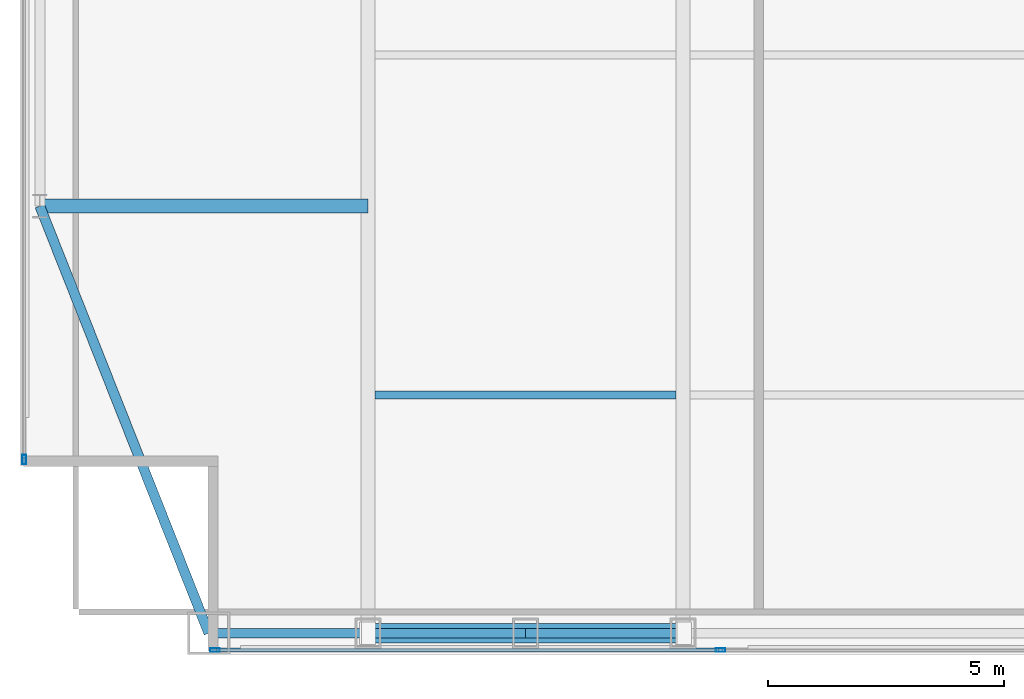
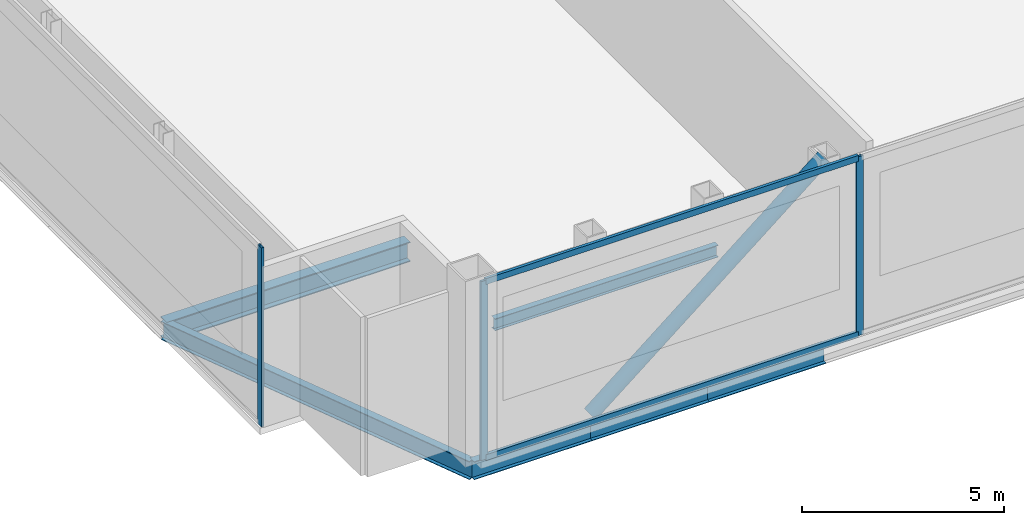
# One storey, part 4 of 22: 6 beams, 6 members, 2 elements without a shape of their own.
"""IFC4 building model written with IfcOpenShell, lengths in metres."""

import ifcopenshell
import ifcopenshell.guid

model = None  # the IFC model being written
_history = None  # IfcOwnerHistory: only IFC2X3 demands one
_inside = {}  # id of a spatial element -> (the spatial element, [elements in it])
_under = {}  # id of a project, library or spatial element -> (it, [spatial elements below it])
_declared = {}  # id of a project -> (the project, [libraries it declares])
_typed = {}  # id of a type object -> (the type object, [elements of that type])
_made_of = {}  # id of a material, layer set ... -> (it, [elements and type objects made of it])


def new_model(schema):
    """Start an empty IFC model of exactly this schema.

    Asked for "IFC4X3", IfcOpenShell would pick the latest addendum, in which some entities
    have other attributes; the version numbers below select the first issue.
    IFC2X3 requires an IfcOwnerHistory on every rooted entity: one is made here for all.
    """
    global model, _history
    if schema == "IFC4X3":
        model = ifcopenshell.file(schema_version=(4, 3, 0, 0))
    else:
        model = ifcopenshell.file(schema=schema)
    _inside.clear()
    _under.clear()
    _declared.clear()
    _typed.clear()
    _made_of.clear()
    _history = None
    if model.schema == "IFC2X3":
        org = make("IfcOrganization", Name="unknown")
        user = make(
            "IfcPersonAndOrganization",
            ThePerson=make("IfcPerson", FamilyName="unknown"),
            TheOrganization=org,
        )
        app = make(
            "IfcApplication",
            ApplicationDeveloper=org,
            Version="unknown",
            ApplicationFullName="unknown",
            ApplicationIdentifier="unknown",
        )
        _history = make(
            "IfcOwnerHistory",
            OwningUser=user,
            OwningApplication=app,
            ChangeAction="ADDED",
            CreationDate=0,
        )
    return model


def make(cls, **values):
    """One entity of the class cls with the attributes given. An attribute that is None is left unset."""
    return model.create_entity(
        cls, **{name: value for name, value in values.items() if value is not None}
    )


def rooted(cls, **values):
    """An entity with a GlobalId (a new one), such as an element, a storey or a relation."""
    return make(cls, GlobalId=ifcopenshell.guid.new(), OwnerHistory=_history, **values)


def si_unit(unit_type, name, prefix=None):
    """IfcSIUnit, for example si_unit("LENGTHUNIT", "METRE", prefix="MILLI")."""
    return make("IfcSIUnit", UnitType=unit_type, Prefix=prefix, Name=name)


def assignment(units):
    """IfcUnitAssignment: the units of a project."""
    return None if units is None else make("IfcUnitAssignment", Units=units)


def point(xyz):
    """IfcCartesianPoint."""
    return None if xyz is None else make("IfcCartesianPoint", Coordinates=xyz)


def direction(xyz):
    """IfcDirection."""
    return None if xyz is None else make("IfcDirection", DirectionRatios=xyz)


def frame(location, z_axis=None, x_axis=None):
    """IfcAxis2Placement3D, a coordinate frame: its origin and axes. An axis left out is left unset."""
    return make(
        "IfcAxis2Placement3D",
        Location=point(location),
        Axis=direction(z_axis),
        RefDirection=direction(x_axis),
    )


def frame_2d(location, x_axis=None):
    """IfcAxis2Placement2D, a coordinate frame in the plane: its origin and x axis."""
    return make(
        "IfcAxis2Placement2D", Location=point(location), RefDirection=direction(x_axis)
    )


def origin():
    """The frame at (0, 0, 0) with its axes left unset."""
    return frame((0.0, 0.0, 0.0))


def origin_2d():
    """The frame at (0, 0) in the plane with its x axis left unset."""
    return frame_2d((0.0, 0.0))


def place(relative_to, where):
    """IfcLocalPlacement: puts the frame where relative to a parent placement (None: the world)."""
    return make(
        "IfcLocalPlacement", PlacementRelTo=relative_to, RelativePlacement=where
    )


def context(
    kind, dimensions, precision=None, world=None, true_north=None, identifier=None
):
    """IfcGeometricRepresentationContext, for example the 3D "Model" context."""
    return make(
        "IfcGeometricRepresentationContext",
        ContextIdentifier=identifier,
        ContextType=kind,
        CoordinateSpaceDimension=dimensions,
        Precision=precision,
        WorldCoordinateSystem=world,
        TrueNorth=true_north,
    )


def subcontext(parent, identifier, kind, view, scale=None):
    """IfcGeometricRepresentationSubContext, for example "Body" below "Model"."""
    return make(
        "IfcGeometricRepresentationSubContext",
        ContextIdentifier=identifier,
        ContextType=kind,
        ParentContext=parent,
        TargetScale=scale,
        TargetView=view,
    )


def project(units=None, contexts=None):
    """IfcProject with its units and contexts."""
    return rooted(
        "IfcProject",
        Name="project",
        RepresentationContexts=contexts,
        UnitsInContext=assignment(units),
    )


def spatial(cls, under=None, at=None, **own):
    """A site, building, storey or space (cls), placed at a placement, below another one or the project."""
    s = rooted(cls, ObjectPlacement=at, **own)
    if under is not None:
        _under.setdefault(under.id(), (under, []))[1].append(s)
    return s


def profile(cls, at=None, kind="AREA", **sizes):
    """A parametric profile (cls). Its sizes go by their IFC names, for example OverallWidth=200.0."""
    return make(cls, ProfileType=kind, Position=at, **sizes)


def hollow_rectangle(**sizes):
    """IfcRectangleHollowProfileDef."""
    return profile("IfcRectangleHollowProfileDef", **sizes)


def hollow_circle(**sizes):
    """IfcCircleHollowProfileDef."""
    return profile("IfcCircleHollowProfileDef", **sizes)


def i_section(**sizes):
    """IfcIShapeProfileDef."""
    return profile("IfcIShapeProfileDef", **sizes)


def extrude(swept, where, along, depth):
    """IfcExtrudedAreaSolid: the profile swept, set in the frame where, extruded along a direction by depth."""
    return make(
        "IfcExtrudedAreaSolid",
        SweptArea=swept,
        Position=where,
        ExtrudedDirection=direction(along),
        Depth=depth,
    )


def shape(context_of_items, identifier, shape_type, items):
    """IfcShapeRepresentation: the items that make up one representation, for example the "Body"."""
    return make(
        "IfcShapeRepresentation",
        ContextOfItems=context_of_items,
        RepresentationIdentifier=identifier,
        RepresentationType=shape_type,
        Items=items,
    )


def material(Name=None, Category=None):
    """IfcMaterial."""
    return make("IfcMaterial", Name=Name, Category=Category)


def material_profile(
    of_material, cross_section, Name=None, Category=None, Priority=None
):
    """IfcMaterialProfile: a cross section and its material."""
    return make(
        "IfcMaterialProfile",
        Name=Name,
        Material=of_material,
        Profile=cross_section,
        Priority=Priority,
        Category=Category,
    )


def profile_set(profiles, Name=None, composite=None):
    """IfcMaterialProfileSet."""
    return make(
        "IfcMaterialProfileSet",
        Name=Name,
        MaterialProfiles=profiles,
        CompositeProfile=composite,
    )


def made_of(thing, what):
    """Note that an element or type object is made of a material, layer set ...; save() writes the relation."""
    if what is not None:
        _made_of.setdefault(what.id(), (what, []))[1].append(thing)
    return thing


def type_object(cls, material=None, **own):
    """A type object (cls), such as IfcWallType, which elements share."""
    return made_of(rooted(cls, **own), material)


def element(
    cls,
    number,
    at=None,
    inside=None,
    cuts=None,
    type_object=None,
    material=None,
    context=None,
    identifier="Body",
    shape_type=None,
    held_by="IfcProductDefinitionShape",
    body=None,
    shapes=None,
    **own,
):
    """One element of the class cls, such as IfcWall. Its Tag is "e" and its number.

    at: its placement. inside: the storey or other place that contains it. cuts: it is an
    opening in that element (IfcRelVoidsElement). A single representation is given by context,
    identifier, shape_type and body (its items); several are given by shapes. held_by: the class
    of the entity that holds the representations. save() writes the other relations.
    """
    e = rooted(cls, Tag="e%d" % number, ObjectPlacement=at, **own)
    if body is not None:
        shapes = [shape(context, identifier, shape_type, body)]
    if shapes is not None:
        e.Representation = make(held_by, Representations=shapes)
    if inside is not None:
        _inside.setdefault(inside.id(), (inside, []))[1].append(e)
    if cuts is not None:
        rooted(
            "IfcRelVoidsElement", RelatingBuildingElement=cuts, RelatedOpeningElement=e
        )
    if type_object is not None:
        _typed.setdefault(type_object.id(), (type_object, []))[1].append(e)
    return made_of(e, material)


def aggregate(whole, parts):
    """IfcRelAggregates: a whole, such as a stair, and the parts it consists of."""
    return rooted("IfcRelAggregates", RelatingObject=whole, RelatedObjects=parts)


def save(model, path):
    """Write the relations noted so far, then the file.

    IfcRelAggregates (storeys below a building ...), IfcRelContainedInSpatialStructure (elements
    in a storey), IfcRelDefinesByType, IfcRelAssociatesMaterial and IfcRelDeclares: one each for
    every whole, place, type object, material and project.
    """
    for whole, parts in _under.values():
        aggregate(whole, parts)
    for where, things in _inside.values():
        rooted(
            "IfcRelContainedInSpatialStructure",
            RelatedElements=things,
            RelatingStructure=where,
        )
    for kind, things in _typed.values():
        rooted("IfcRelDefinesByType", RelatedObjects=things, RelatingType=kind)
    for what, things in _made_of.values():
        rooted("IfcRelAssociatesMaterial", RelatedObjects=things, RelatingMaterial=what)
    for by, libraries in _declared.values():
        rooted("IfcRelDeclares", RelatingContext=by, RelatedDefinitions=libraries)
    model.write(path)


model = new_model("IFC4")

# Units and contexts
model_context = context("Model", 3, precision=1e-05, world=origin(), true_north=direction((0.0, 1.0)))
body_context = subcontext(model_context, "Body", "Model", "MODEL_VIEW")
ifc_project = project(units=[si_unit("LENGTHUNIT", "METRE"), si_unit("AREAUNIT", "SQUARE_METRE"), si_unit("VOLUMEUNIT", "CUBIC_METRE"), si_unit("PLANEANGLEUNIT", "RADIAN"), si_unit("MASSUNIT", "GRAM", prefix="KILO")], contexts=[model_context])

# Site, building, storey
site_placement = place(None, origin())
site = spatial("IfcSite", under=ifc_project, at=site_placement, CompositionType="ELEMENT")
building_placement = place(site_placement, origin())
building = spatial("IfcBuilding", under=site, at=building_placement, Name="Khoronbel Lancet Exchange", CompositionType="ELEMENT")
storey_placement = place(building_placement, frame((0.0, 0.0, 373.0)))
storey = spatial("IfcBuildingStorey", under=building, at=storey_placement, Name="L95", CompositionType="ELEMENT", Elevation=373.0)

# Beams
ifc_material_1 = material(Name="Steel S355", Category="steel")
ifc_material_profile_1 = material_profile(ifc_material_1, i_section(OverallWidth=0.300048828125, OverallDepth=0.60009765625, WebThickness=0.015380859375, FlangeThickness=0.030029296875, at=origin_2d()), Name="HEB 600")
ifc_profile_set_1 = profile_set([ifc_material_profile_1], Name="Steel S355")
beam_type_1 = type_object("IfcBeamType", Name="BM-BG5", PredefinedType="BEAM", material=ifc_profile_set_1)
beam_1_placement = place(storey_placement, frame((11.27001953125, 19.199951171875, -0.5), z_axis=(1.0, 0.0, 0.0), x_axis=(0.0, 1.0, 0.0)))
element("IfcBeam", 1, at=beam_1_placement, inside=storey, type_object=beam_type_1, Name="Level L95 west lens tie girder LG1W", PredefinedType="BEAM", context=body_context, shape_type="SweptSolid", body=[
    extrude(i_section(OverallWidth=0.300048828125, OverallDepth=0.60009765625, WebThickness=0.015380859375, FlangeThickness=0.030029296875, at=origin_2d()), origin(), (0.0, 0.0, 1.0), 6.955078125),
])
ifc_material_profile_2 = material_profile(ifc_material_1, i_section(OverallWidth=0.169921875, OverallDepth=0.360107421875, WebThickness=0.008056640625, FlangeThickness=0.0126953125, at=origin_2d()), Name="IPE 360")
ifc_profile_set_2 = profile_set([ifc_material_profile_2], Name="Steel S355")
beam_type_2 = type_object("IfcBeamType", Name="BM-BJ6", PredefinedType="JOIST", material=ifc_profile_set_2)
beam_2_placement = place(storey_placement, frame((18.375, 15.199951171875, -0.3798828125), z_axis=(1.0, 0.0, 0.0), x_axis=(0.0, 1.0, 0.0)))
element("IfcBeam", 2, at=beam_2_placement, inside=storey, type_object=beam_type_2, Name="Level L95 secondary composite joist J01", PredefinedType="JOIST", context=body_context, shape_type="SweptSolid", body=[
    extrude(i_section(OverallWidth=0.169921875, OverallDepth=0.360107421875, WebThickness=0.008056640625, FlangeThickness=0.0126953125, at=origin_2d()), origin(), (0.0, 0.0, 1.0), 6.375),
])
ifc_material_profile_3 = material_profile(ifc_material_1, i_section(OverallWidth=0.2099609375, OverallDepth=0.550048828125, WebThickness=0.010986328125, FlangeThickness=0.01708984375, at=origin_2d()), Name="IPE 550")
ifc_profile_set_3 = profile_set([ifc_material_profile_3], Name="Steel S355")
beam_type_3 = type_object("IfcBeamType", Name="BM-BSP3", PredefinedType="SPANDREL", material=ifc_profile_set_3)
beam_3_placement = place(storey_placement, frame((14.85009765625, 10.14990234375, -0.47509765625), z_axis=(1.0, 0.0, 0.0), x_axis=(0.0, 1.0, 0.0)))
element("IfcBeam", 3, at=beam_3_placement, inside=storey, type_object=beam_type_3, Name="Level L95 perimeter spandrel beam SP01", PredefinedType="SPANDREL", context=body_context, shape_type="SweptSolid", body=[
    extrude(i_section(OverallWidth=0.2099609375, OverallDepth=0.550048828125, WebThickness=0.010986328125, FlangeThickness=0.01708984375, at=origin_2d()), origin(), (0.0, 0.0, 1.0), 3.375),
])
for number, where, z_axis, x_axis, name in (
    (4, (18.22509765625, 10.14990234375, -0.47509765625), (1.0, 0.0, 0.0), (0.0, 1.0, 0.0), "Level L95 perimeter spandrel beam SP02"),
    (5, (21.5625, 10.14990234375, -0.47509765625), (1.0, 0.0, 0.0), (0.0, 1.0, 0.0), "Level L95 perimeter spandrel beam SP03"),
):
    element("IfcBeam", number, at=place(storey_placement, frame(where, z_axis=z_axis, x_axis=x_axis)), inside=storey, type_object=beam_type_3, Name=name, PredefinedType="SPANDREL", context=body_context, shape_type="SweptSolid", body=[
        extrude(i_section(OverallWidth=0.2099609375, OverallDepth=0.550048828125, WebThickness=0.010986328125, FlangeThickness=0.01708984375, at=origin_2d()), origin(), (0.0, 0.0, 1.0), 3.33740234375),
    ])
beam_4_placement = place(storey_placement, frame((11.27001953125, 19.199951171875, -0.47509765625), z_axis=(0.367850095026, -0.92988510451, 0.0), x_axis=(0.92988510451, 0.367850095026, 0.0)))
element("IfcBeam", 6, at=beam_4_placement, inside=storey, type_object=beam_type_3, Name="Level L95 perimeter spandrel beam SP19", PredefinedType="SPANDREL", context=body_context, shape_type="SweptSolid", body=[
    extrude(i_section(OverallWidth=0.2099609375, OverallDepth=0.550048828125, WebThickness=0.010986328125, FlangeThickness=0.01708984375, at=origin_2d()), origin(), (0.0, 0.0, 1.0), 9.732421875),
])

# Curtain wall, member
ifc_material_2 = material(Name="Low-E Solar Control Insulating Glass", Category="glass")
curtain_wall_type = type_object("IfcCurtainWallType", Name="CW-6", PredefinedType="NOTDEFINED", material=ifc_material_2)
curtain_wall_1_placement = place(storey_placement, origin())
curtain_wall_1 = element("IfcCurtainWall", 7, at=curtain_wall_1_placement, inside=storey, type_object=curtain_wall_type, Name="Unitised curtain wall CW-L95-E03", PredefinedType="NOTDEFINED")
ifc_material_3 = material(Name="Bronze-Anodised Aluminium 6063-T6", Category="aluminium")
ifc_material_profile_4 = material_profile(ifc_material_3, hollow_rectangle(XDim=0.074951171875, YDim=0.199951171875, WallThickness=0.0048828125, at=origin_2d()), Name="ALU MULLION 75x200")
ifc_profile_set_4 = profile_set([ifc_material_profile_4], Name="Bronze-Anodised Aluminium 6063-T6")
member_type_1 = type_object("IfcMemberType", Name="MEM-CWM2", PredefinedType="MULLION", material=ifc_profile_set_4)
member_1_placement = place(storey_placement, frame((10.93994140625, 13.827392578125, 0.0), z_axis=(0.0, 0.0, 1.0), x_axis=(-1.0, 0.0, 0.0)))
member_1 = element("IfcMember", 8, at=member_1_placement, type_object=member_type_1, Name="CW6 mullion 1", PredefinedType="MULLION", context=body_context, shape_type="SweptSolid", body=[
    extrude(hollow_rectangle(XDim=0.074951171875, YDim=0.199951171875, WallThickness=0.0048828125, at=origin_2d()), origin(), (0.0, 0.0, 1.0), 5.39990234375),
])
aggregate(curtain_wall_1, [member_1])

# Curtain wall, members
curtain_wall_2_placement = place(storey_placement, origin())
curtain_wall_2 = element("IfcCurtainWall", 9, at=curtain_wall_2_placement, inside=storey, type_object=curtain_wall_type, Name="Unitised curtain wall CW-L95-E12", PredefinedType="NOTDEFINED")
member_2_placement = place(storey_placement, frame((25.695068359375, 9.7900390625, 0.0), z_axis=(0.0, 0.0, 1.0), x_axis=(0.0, -1.0, 0.0)))
member_2 = element("IfcMember", 10, at=member_2_placement, type_object=member_type_1, Name="CW6 mullion 4", PredefinedType="MULLION", context=body_context, shape_type="SweptSolid", body=[
    extrude(hollow_rectangle(XDim=0.074951171875, YDim=0.199951171875, WallThickness=0.0048828125, at=origin_2d()), origin(), (0.0, 0.0, 1.0), 5.39990234375),
])
member_3_placement = place(storey_placement, frame((14.9775390625, 9.7900390625, 0.0), z_axis=(0.0, 0.0, 1.0), x_axis=(0.0, -1.0, 0.0)))
member_3 = element("IfcMember", 11, at=member_3_placement, type_object=member_type_1, Name="CW6 mullion 5", PredefinedType="MULLION", context=body_context, shape_type="SweptSolid", body=[
    extrude(hollow_rectangle(XDim=0.074951171875, YDim=0.199951171875, WallThickness=0.0048828125, at=origin_2d()), origin(), (0.0, 0.0, 1.0), 5.39990234375),
])
ifc_material_profile_5 = material_profile(ifc_material_3, hollow_rectangle(XDim=0.0849609375, YDim=0.179931640625, WallThickness=0.0048828125, at=origin_2d()), Name="ALU TRANSOM 85x180")
ifc_profile_set_5 = profile_set([ifc_material_profile_5], Name="Bronze-Anodised Aluminium 6063-T6")
member_type_2 = type_object("IfcMemberType", Name="MEM-CWT1", PredefinedType="USERDEFINED", material=ifc_profile_set_5)
member_4_placement = place(storey_placement, frame((25.657470703125, 9.7900390625, 0.04248046875), z_axis=(-1.0, 0.0, 0.0), x_axis=(0.0, -1.0, 0.0)))
member_4 = element("IfcMember", 12, at=member_4_placement, type_object=member_type_2, Name="CW6 transom 4.1", ObjectType="TRANSOM", PredefinedType="USERDEFINED", context=body_context, shape_type="SweptSolid", body=[
    extrude(hollow_rectangle(XDim=0.0849609375, YDim=0.179931640625, WallThickness=0.0048828125, at=origin_2d()), origin(), (0.0, 0.0, 1.0), 10.642578125),
])
member_5_placement = place(storey_placement, frame((25.657470703125, 9.7900390625, 5.357421875), z_axis=(-1.0, 0.0, 0.0), x_axis=(0.0, -1.0, 0.0)))
member_5 = element("IfcMember", 13, at=member_5_placement, type_object=member_type_2, Name="CW6 transom 4.2", ObjectType="TRANSOM", PredefinedType="USERDEFINED", context=body_context, shape_type="SweptSolid", body=[
    extrude(hollow_rectangle(XDim=0.0849609375, YDim=0.179931640625, WallThickness=0.0048828125, at=origin_2d()), origin(), (0.0, 0.0, 1.0), 10.642578125),
])
aggregate(curtain_wall_2, [member_2, member_3, member_4, member_5])

# Member
ifc_material_profile_6 = material_profile(ifc_material_1, hollow_circle(Radius=0.203125, WallThickness=0.02001953125, at=origin_2d()), Name="CHS 406.4x20")
ifc_profile_set_6 = profile_set([ifc_material_profile_6], Name="Steel S355")
member_type_3 = type_object("IfcMemberType", Name="MEM-STR2", PredefinedType="STRUT", material=ifc_profile_set_6)
member_6_placement = place(storey_placement, frame((18.22509765625, 10.14990234375, 0.0), z_axis=(0.776305042624, 0.0, 0.630357423052), x_axis=(0.0, 1.0, 0.0)))
element("IfcMember", 14, at=member_6_placement, inside=storey, type_object=member_type_3, Name="CROWN FRAME diagonal ring brace L95-S1", PredefinedType="STRUT", context=body_context, shape_type="SweptSolid", body=[
    extrude(hollow_circle(Radius=0.203125, WallThickness=0.02001953125, at=origin_2d()), origin(), (0.0, 0.0, 1.0), 8.59814453125),
])

save(model, "model.ifc")
